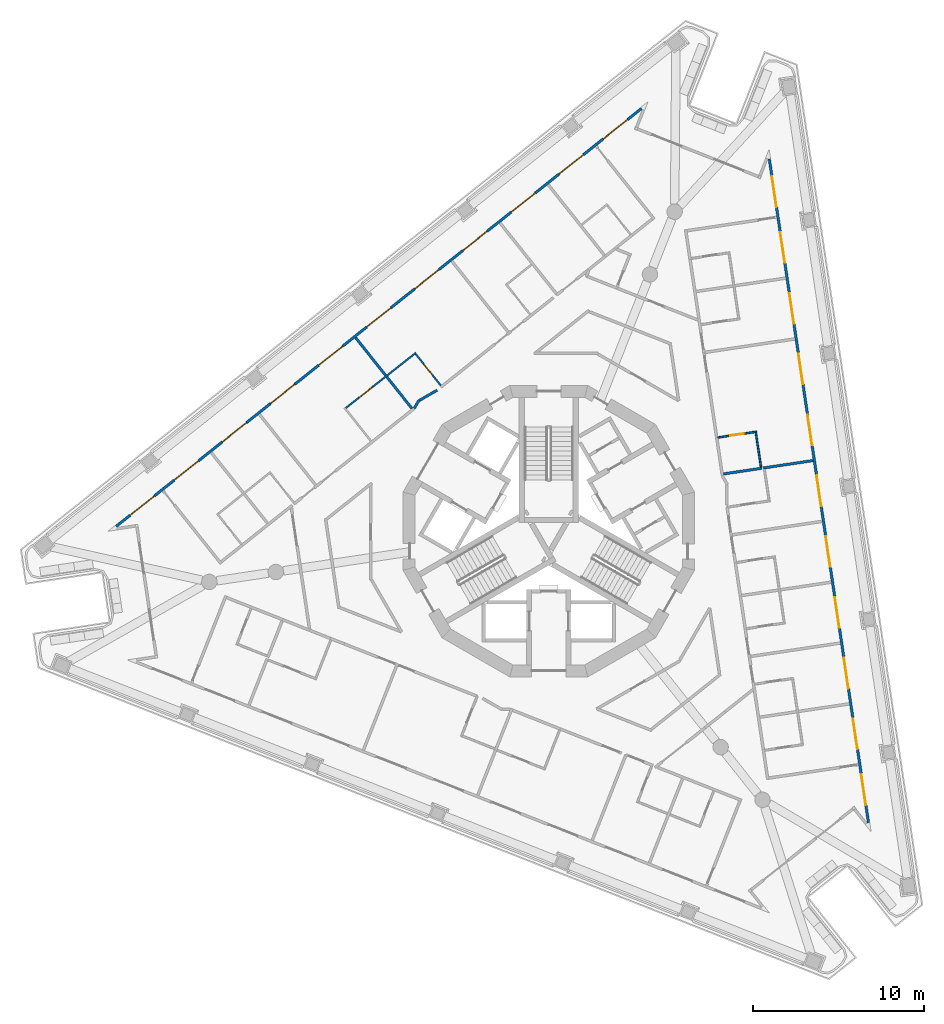
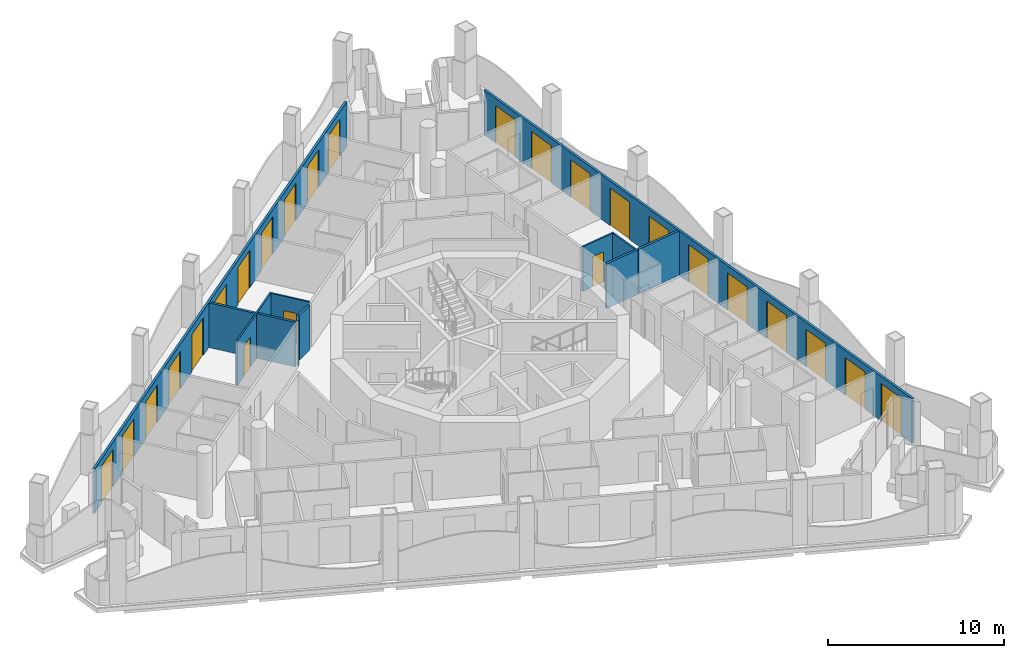
# One storey, part 7 of 16: 25 doors, 11 walls, 25 openings.
"""IFC4 building model written with IfcOpenShell, lengths in metres."""

from ifc_helpers import new_model, si_unit, direction, frame, frame_2d, origin, place, context, subcontext, project, spatial, polyline, rectangle, outline, extrude, material, layer, layer_set, type_object, element, fill, save


model = new_model("IFC4")

# Units and contexts
model_context = context("Model", 3, precision=1e-05, world=origin(), true_north=direction((0.0, 1.0)))
body_context = subcontext(model_context, "Body", "Model", "MODEL_VIEW")
ifc_project = project(units=[si_unit("LENGTHUNIT", "METRE"), si_unit("AREAUNIT", "SQUARE_METRE"), si_unit("VOLUMEUNIT", "CUBIC_METRE"), si_unit("PLANEANGLEUNIT", "RADIAN"), si_unit("MASSUNIT", "GRAM", prefix="KILO")], contexts=[model_context])

# Site, building, storey
site_placement = place(None, origin())
site = spatial("IfcSite", under=ifc_project, at=site_placement, CompositionType="ELEMENT")
building_placement = place(site_placement, origin())
building = spatial("IfcBuilding", under=site, at=building_placement, Name="Trine Commons Tower", CompositionType="ELEMENT")
storey_placement = place(building_placement, frame((0.0, 0.0, 226.800048828125)))
storey = spatial("IfcBuildingStorey", under=building, at=storey_placement, Name="L59", CompositionType="ELEMENT", Elevation=226.800048828125)

# Wall, openings, doors
ifc_material_1 = material(Name="Aluminium-framed insulated wall panel", Category="aluminium")
ifc_layer_1 = layer(ifc_material_1, 0.14990234375)
ifc_layer_set_1 = layer_set([ifc_layer_1], Name="Aluminium-framed insulated wall panel")
wall_type_1 = type_object("IfcWallType", Name="Glazed frame wall 150, EI 60", PredefinedType="SOLIDWALL", material=ifc_layer_set_1)
wall_1_placement = place(storey_placement, frame((54.650634765625, 62.685546875, 0.0), z_axis=(0.0, 0.0, 1.0), x_axis=(0.782609620341, 0.622512796776, 0.0)))
wall_1 = element("IfcWall", 1, at=wall_1_placement, inside=storey, type_object=wall_type_1, Name="Glazed frame wall F1", PredefinedType="SOLIDWALL", context=body_context, shape_type="SweptSolid", body=[
    extrude(outline(polyline([(0.1494140625, 0.074951171875), (0.1494140625, -0.074951171875), (39.296875, -0.074951171875), (39.296875, 0.074951171875), (0.1494140625, 0.074951171875)])), origin(), (0.0, 0.0, 1.0), 3.099853515625),
])
opening_1_placement = place(wall_1_placement, frame((1.193115234375, 0.0, 0.0)))
opening_1 = element("IfcOpeningElement", 2, at=opening_1_placement, cuts=wall_1, Name="Opening BD-6F1-01", PredefinedType="OPENING", context=body_context, shape_type="SweptSolid", body=[
    extrude(rectangle(XDim=1.800048828125, YDim=2.60009765625, at=frame_2d((0.89990234375, 1.300048828125))), frame((0.0, 0.0849609375, 0.0), z_axis=(0.0, -1.0, 0.0), x_axis=(1.0, 0.0, 0.0)), (0.0, 0.0, 1.0), 0.169921875),
])
opening_2_placement = place(wall_1_placement, frame((4.47900390625, 0.0, 0.0)))
opening_2 = element("IfcOpeningElement", 3, at=opening_2_placement, cuts=wall_1, Name="Opening BD-6F1-02", PredefinedType="OPENING", context=body_context, shape_type="SweptSolid", body=[
    extrude(rectangle(XDim=1.800048828125, YDim=2.60009765625, at=frame_2d((0.89990234375, 1.300048828125))), frame((0.0, 0.0849609375, 0.0), z_axis=(0.0, -1.0, 0.0), x_axis=(1.0, 0.0, 0.0)), (0.0, 0.0, 1.0), 0.169921875),
])
opening_3_placement = place(wall_1_placement, frame((8.06494140625, 0.0, 0.0)))
opening_3 = element("IfcOpeningElement", 4, at=opening_3_placement, cuts=wall_1, Name="Opening BD-6F1-03", PredefinedType="OPENING", context=body_context, shape_type="SweptSolid", body=[
    extrude(rectangle(XDim=1.800048828125, YDim=2.60009765625, at=frame_2d((0.89990234375, 1.300048828125))), frame((0.0, 0.0849609375, 0.0), z_axis=(0.0, -1.0, 0.0), x_axis=(1.0, 0.0, 0.0)), (0.0, 0.0, 1.0), 0.169921875),
])
opening_4_placement = place(wall_1_placement, frame((11.65087890625, 0.0, 0.0)))
opening_4 = element("IfcOpeningElement", 5, at=opening_4_placement, cuts=wall_1, Name="Opening BD-6F1-04", PredefinedType="OPENING", context=body_context, shape_type="SweptSolid", body=[
    extrude(rectangle(XDim=1.800048828125, YDim=2.60009765625, at=frame_2d((0.89990234375, 1.300048828125))), frame((0.0, 0.0849609375, 0.0), z_axis=(0.0, -1.0, 0.0), x_axis=(1.0, 0.0, 0.0)), (0.0, 0.0, 1.0), 0.169921875),
])
opening_5_placement = place(wall_1_placement, frame((15.237060546875, 0.0, 0.0)))
opening_5 = element("IfcOpeningElement", 6, at=opening_5_placement, cuts=wall_1, Name="Opening BD-6F1-05", PredefinedType="OPENING", context=body_context, shape_type="SweptSolid", body=[
    extrude(rectangle(XDim=1.800048828125, YDim=2.60009765625, at=frame_2d((0.89990234375, 1.300048828125))), frame((0.0, 0.0849609375, 0.0), z_axis=(0.0, -1.0, 0.0), x_axis=(1.0, 0.0, 0.0)), (0.0, 0.0, 1.0), 0.169921875),
])
opening_6_placement = place(wall_1_placement, frame((18.822998046875, 0.0, 0.0)))
opening_6 = element("IfcOpeningElement", 7, at=opening_6_placement, cuts=wall_1, Name="Opening BD-6F1-06", PredefinedType="OPENING", context=body_context, shape_type="SweptSolid", body=[
    extrude(rectangle(XDim=1.800048828125, YDim=2.60009765625, at=frame_2d((0.89990234375, 1.300048828125))), frame((0.0, 0.0849609375, 0.0), z_axis=(0.0, -1.0, 0.0), x_axis=(1.0, 0.0, 0.0)), (0.0, 0.0, 1.0), 0.169921875),
])
opening_7_placement = place(wall_1_placement, frame((22.408935546875, 0.0, 0.0)))
opening_7 = element("IfcOpeningElement", 8, at=opening_7_placement, cuts=wall_1, Name="Opening BD-6F1-07", PredefinedType="OPENING", context=body_context, shape_type="SweptSolid", body=[
    extrude(rectangle(XDim=1.800048828125, YDim=2.60009765625, at=frame_2d((0.89990234375, 1.300048828125))), frame((0.0, 0.0849609375, 0.0), z_axis=(0.0, -1.0, 0.0), x_axis=(1.0, 0.0, 0.0)), (0.0, 0.0, 1.0), 0.169921875),
])
opening_8_placement = place(wall_1_placement, frame((25.9951171875, 0.0, 0.0)))
opening_8 = element("IfcOpeningElement", 9, at=opening_8_placement, cuts=wall_1, Name="Opening BD-6F1-08", PredefinedType="OPENING", context=body_context, shape_type="SweptSolid", body=[
    extrude(rectangle(XDim=1.800048828125, YDim=2.60009765625, at=frame_2d((0.89990234375, 1.300048828125))), frame((0.0, 0.0849609375, 0.0), z_axis=(0.0, -1.0, 0.0), x_axis=(1.0, 0.0, 0.0)), (0.0, 0.0, 1.0), 0.169921875),
])
opening_9_placement = place(wall_1_placement, frame((29.5810546875, 0.0, 0.0)))
opening_9 = element("IfcOpeningElement", 10, at=opening_9_placement, cuts=wall_1, Name="Opening BD-6F1-09", PredefinedType="OPENING", context=body_context, shape_type="SweptSolid", body=[
    extrude(rectangle(XDim=1.800048828125, YDim=2.60009765625, at=frame_2d((0.89990234375, 1.300048828125))), frame((0.0, 0.0849609375, 0.0), z_axis=(0.0, -1.0, 0.0), x_axis=(1.0, 0.0, 0.0)), (0.0, 0.0, 1.0), 0.169921875),
])
opening_10_placement = place(wall_1_placement, frame((33.1669921875, 0.0, 0.0)))
opening_10 = element("IfcOpeningElement", 11, at=opening_10_placement, cuts=wall_1, Name="Opening BD-6F1-10", PredefinedType="OPENING", context=body_context, shape_type="SweptSolid", body=[
    extrude(rectangle(XDim=1.800048828125, YDim=2.60009765625, at=frame_2d((0.89990234375, 1.300048828125))), frame((0.0, 0.0849609375, 0.0), z_axis=(0.0, -1.0, 0.0), x_axis=(1.0, 0.0, 0.0)), (0.0, 0.0, 1.0), 0.169921875),
])
opening_11_placement = place(wall_1_placement, frame((36.452880859375, 0.0, 0.0)))
opening_11 = element("IfcOpeningElement", 12, at=opening_11_placement, cuts=wall_1, Name="Opening BD-6F1-11", PredefinedType="OPENING", context=body_context, shape_type="SweptSolid", body=[
    extrude(rectangle(XDim=1.800048828125, YDim=2.60009765625, at=frame_2d((0.89990234375, 1.300048828125))), frame((0.0, 0.0849609375, 0.0), z_axis=(0.0, -1.0, 0.0), x_axis=(1.0, 0.0, 0.0)), (0.0, 0.0, 1.0), 0.169921875),
])
ifc_material_2 = material(Name="Anodised aluminium frame with double glazing", Category="aluminium")
door_type_1 = type_object("IfcDoorType", Name="Sliding loggia door 1800x2600", OperationType="SLIDING_TO_LEFT", PredefinedType="DOOR", material=ifc_material_2)
door_1_placement = place(opening_1_placement, origin())
door_1 = element("IfcDoor", 13, at=door_1_placement, inside=storey, type_object=door_type_1, Name="Loggia door F1 1", OperationType="SLIDING_TO_LEFT", OverallHeight=2.60009765625, OverallWidth=1.800048828125, PredefinedType="DOOR", context=body_context, shape_type="SweptSolid", body=[
    extrude(rectangle(XDim=1.800048828125, YDim=2.60009765625, at=frame_2d((0.89990234375, 1.300048828125))), frame((0.0, 0.02490234375, 0.0), z_axis=(0.0, -1.0, 0.0), x_axis=(1.0, 0.0, 0.0)), (0.0, 0.0, 1.0), 0.050048828125),
])
fill(opening_1, door_1)
door_2_placement = place(opening_2_placement, origin())
door_2 = element("IfcDoor", 14, at=door_2_placement, inside=storey, type_object=door_type_1, Name="Loggia door F1 2", OperationType="SLIDING_TO_LEFT", OverallHeight=2.60009765625, OverallWidth=1.800048828125, PredefinedType="DOOR", context=body_context, shape_type="SweptSolid", body=[
    extrude(rectangle(XDim=1.800048828125, YDim=2.60009765625, at=frame_2d((0.89990234375, 1.300048828125))), frame((0.0, 0.02490234375, 0.0), z_axis=(0.0, -1.0, 0.0), x_axis=(1.0, 0.0, 0.0)), (0.0, 0.0, 1.0), 0.050048828125),
])
fill(opening_2, door_2)
door_3_placement = place(opening_3_placement, origin())
door_3 = element("IfcDoor", 15, at=door_3_placement, inside=storey, type_object=door_type_1, Name="Loggia door F1 3", OperationType="SLIDING_TO_LEFT", OverallHeight=2.60009765625, OverallWidth=1.800048828125, PredefinedType="DOOR", context=body_context, shape_type="SweptSolid", body=[
    extrude(rectangle(XDim=1.800048828125, YDim=2.60009765625, at=frame_2d((0.89990234375, 1.300048828125))), frame((0.0, 0.02490234375, 0.0), z_axis=(0.0, -1.0, 0.0), x_axis=(1.0, 0.0, 0.0)), (0.0, 0.0, 1.0), 0.050048828125),
])
fill(opening_3, door_3)
door_4_placement = place(opening_4_placement, origin())
door_4 = element("IfcDoor", 16, at=door_4_placement, inside=storey, type_object=door_type_1, Name="Loggia door F1 4", OperationType="SLIDING_TO_LEFT", OverallHeight=2.60009765625, OverallWidth=1.800048828125, PredefinedType="DOOR", context=body_context, shape_type="SweptSolid", body=[
    extrude(rectangle(XDim=1.800048828125, YDim=2.60009765625, at=frame_2d((0.89990234375, 1.300048828125))), frame((0.0, 0.02490234375, 0.0), z_axis=(0.0, -1.0, 0.0), x_axis=(1.0, 0.0, 0.0)), (0.0, 0.0, 1.0), 0.050048828125),
])
fill(opening_4, door_4)
door_5_placement = place(opening_5_placement, origin())
door_5 = element("IfcDoor", 17, at=door_5_placement, inside=storey, type_object=door_type_1, Name="Loggia door F1 5", OperationType="SLIDING_TO_LEFT", OverallHeight=2.60009765625, OverallWidth=1.800048828125, PredefinedType="DOOR", context=body_context, shape_type="SweptSolid", body=[
    extrude(rectangle(XDim=1.800048828125, YDim=2.60009765625, at=frame_2d((0.89990234375, 1.300048828125))), frame((0.0, 0.02490234375, 0.0), z_axis=(0.0, -1.0, 0.0), x_axis=(1.0, 0.0, 0.0)), (0.0, 0.0, 1.0), 0.050048828125),
])
fill(opening_5, door_5)
door_6_placement = place(opening_6_placement, origin())
door_6 = element("IfcDoor", 18, at=door_6_placement, inside=storey, type_object=door_type_1, Name="Loggia door F1 6", OperationType="SLIDING_TO_LEFT", OverallHeight=2.60009765625, OverallWidth=1.800048828125, PredefinedType="DOOR", context=body_context, shape_type="SweptSolid", body=[
    extrude(rectangle(XDim=1.800048828125, YDim=2.60009765625, at=frame_2d((0.89990234375, 1.300048828125))), frame((0.0, 0.02490234375, 0.0), z_axis=(0.0, -1.0, 0.0), x_axis=(1.0, 0.0, 0.0)), (0.0, 0.0, 1.0), 0.050048828125),
])
fill(opening_6, door_6)
door_7_placement = place(opening_7_placement, origin())
door_7 = element("IfcDoor", 19, at=door_7_placement, inside=storey, type_object=door_type_1, Name="Loggia door F1 7", OperationType="SLIDING_TO_LEFT", OverallHeight=2.60009765625, OverallWidth=1.800048828125, PredefinedType="DOOR", context=body_context, shape_type="SweptSolid", body=[
    extrude(rectangle(XDim=1.800048828125, YDim=2.60009765625, at=frame_2d((0.89990234375, 1.300048828125))), frame((0.0, 0.02490234375, 0.0), z_axis=(0.0, -1.0, 0.0), x_axis=(1.0, 0.0, 0.0)), (0.0, 0.0, 1.0), 0.050048828125),
])
fill(opening_7, door_7)
door_8_placement = place(opening_8_placement, origin())
door_8 = element("IfcDoor", 20, at=door_8_placement, inside=storey, type_object=door_type_1, Name="Loggia door F1 8", OperationType="SLIDING_TO_LEFT", OverallHeight=2.60009765625, OverallWidth=1.800048828125, PredefinedType="DOOR", context=body_context, shape_type="SweptSolid", body=[
    extrude(rectangle(XDim=1.800048828125, YDim=2.60009765625, at=frame_2d((0.89990234375, 1.300048828125))), frame((0.0, 0.02490234375, 0.0), z_axis=(0.0, -1.0, 0.0), x_axis=(1.0, 0.0, 0.0)), (0.0, 0.0, 1.0), 0.050048828125),
])
fill(opening_8, door_8)
door_9_placement = place(opening_9_placement, origin())
door_9 = element("IfcDoor", 21, at=door_9_placement, inside=storey, type_object=door_type_1, Name="Loggia door F1 9", OperationType="SLIDING_TO_LEFT", OverallHeight=2.60009765625, OverallWidth=1.800048828125, PredefinedType="DOOR", context=body_context, shape_type="SweptSolid", body=[
    extrude(rectangle(XDim=1.800048828125, YDim=2.60009765625, at=frame_2d((0.89990234375, 1.300048828125))), frame((0.0, 0.02490234375, 0.0), z_axis=(0.0, -1.0, 0.0), x_axis=(1.0, 0.0, 0.0)), (0.0, 0.0, 1.0), 0.050048828125),
])
fill(opening_9, door_9)
door_10_placement = place(opening_10_placement, origin())
door_10 = element("IfcDoor", 22, at=door_10_placement, inside=storey, type_object=door_type_1, Name="Loggia door F1 10", OperationType="SLIDING_TO_LEFT", OverallHeight=2.60009765625, OverallWidth=1.800048828125, PredefinedType="DOOR", context=body_context, shape_type="SweptSolid", body=[
    extrude(rectangle(XDim=1.800048828125, YDim=2.60009765625, at=frame_2d((0.89990234375, 1.300048828125))), frame((0.0, 0.02490234375, 0.0), z_axis=(0.0, -1.0, 0.0), x_axis=(1.0, 0.0, 0.0)), (0.0, 0.0, 1.0), 0.050048828125),
])
fill(opening_10, door_10)
door_11_placement = place(opening_11_placement, origin())
door_11 = element("IfcDoor", 23, at=door_11_placement, inside=storey, type_object=door_type_1, Name="Loggia door F1 11", OperationType="SLIDING_TO_LEFT", OverallHeight=2.60009765625, OverallWidth=1.800048828125, PredefinedType="DOOR", context=body_context, shape_type="SweptSolid", body=[
    extrude(rectangle(XDim=1.800048828125, YDim=2.60009765625, at=frame_2d((0.89990234375, 1.300048828125))), frame((0.0, 0.02490234375, 0.0), z_axis=(0.0, -1.0, 0.0), x_axis=(1.0, 0.0, 0.0)), (0.0, 0.0, 1.0), 0.050048828125),
])
fill(opening_11, door_11)

wall_2_placement = place(storey_placement, frame((92.835205078125, 84.3603515625, 0.0), z_axis=(0.0, 0.0, 1.0), x_axis=(0.147810490781, -0.989015702006, 0.0)))
wall_2 = element("IfcWall", 24, at=wall_2_placement, inside=storey, type_object=wall_type_1, Name="Glazed frame wall F2", PredefinedType="SOLIDWALL", context=body_context, shape_type="SweptSolid", body=[
    extrude(outline(polyline([(0.1494140625, 0.074951171875), (0.1494140625, -0.074951171875), (39.296875, -0.074951171875), (39.296875, 0.074951171875), (0.1494140625, 0.074951171875)])), origin(), (0.0, 0.0, 1.0), 3.099853515625),
])
opening_12_placement = place(wall_2_placement, frame((1.193115234375, 0.0, 0.0)))
opening_12 = element("IfcOpeningElement", 25, at=opening_12_placement, cuts=wall_2, Name="Opening BD-6F2-01", PredefinedType="OPENING", context=body_context, shape_type="SweptSolid", body=[
    extrude(rectangle(XDim=1.800048828125, YDim=2.60009765625, at=frame_2d((0.89990234375, 1.300048828125))), frame((0.0, 0.0849609375, 0.0), z_axis=(0.0, -1.0, 0.0), x_axis=(1.0, 0.0, 0.0)), (0.0, 0.0, 1.0), 0.169921875),
])
opening_13_placement = place(wall_2_placement, frame((4.47900390625, 0.0, 0.0)))
opening_13 = element("IfcOpeningElement", 26, at=opening_13_placement, cuts=wall_2, Name="Opening BD-6F2-02", PredefinedType="OPENING", context=body_context, shape_type="SweptSolid", body=[
    extrude(rectangle(XDim=1.800048828125, YDim=2.60009765625, at=frame_2d((0.89990234375, 1.300048828125))), frame((0.0, 0.0849609375, 0.0), z_axis=(0.0, -1.0, 0.0), x_axis=(1.0, 0.0, 0.0)), (0.0, 0.0, 1.0), 0.169921875),
])
opening_14_placement = place(wall_2_placement, frame((8.06494140625, 0.0, 0.0)))
opening_14 = element("IfcOpeningElement", 27, at=opening_14_placement, cuts=wall_2, Name="Opening BD-6F2-03", PredefinedType="OPENING", context=body_context, shape_type="SweptSolid", body=[
    extrude(rectangle(XDim=1.800048828125, YDim=2.60009765625, at=frame_2d((0.89990234375, 1.300048828125))), frame((0.0, 0.0849609375, 0.0), z_axis=(0.0, -1.0, 0.0), x_axis=(1.0, 0.0, 0.0)), (0.0, 0.0, 1.0), 0.169921875),
])
opening_15_placement = place(wall_2_placement, frame((11.65087890625, 0.0, 0.0)))
opening_15 = element("IfcOpeningElement", 28, at=opening_15_placement, cuts=wall_2, Name="Opening BD-6F2-04", PredefinedType="OPENING", context=body_context, shape_type="SweptSolid", body=[
    extrude(rectangle(XDim=1.800048828125, YDim=2.60009765625, at=frame_2d((0.89990234375, 1.300048828125))), frame((0.0, 0.0849609375, 0.0), z_axis=(0.0, -1.0, 0.0), x_axis=(1.0, 0.0, 0.0)), (0.0, 0.0, 1.0), 0.169921875),
])
opening_16_placement = place(wall_2_placement, frame((15.237060546875, 0.0, 0.0)))
opening_16 = element("IfcOpeningElement", 29, at=opening_16_placement, cuts=wall_2, Name="Opening BD-6F2-05", PredefinedType="OPENING", context=body_context, shape_type="SweptSolid", body=[
    extrude(rectangle(XDim=1.800048828125, YDim=2.60009765625, at=frame_2d((0.89990234375, 1.300048828125))), frame((0.0, 0.0849609375, 0.0), z_axis=(0.0, -1.0, 0.0), x_axis=(1.0, 0.0, 0.0)), (0.0, 0.0, 1.0), 0.169921875),
])
opening_17_placement = place(wall_2_placement, frame((18.822998046875, 0.0, 0.0)))
opening_17 = element("IfcOpeningElement", 30, at=opening_17_placement, cuts=wall_2, Name="Opening BD-6F2-06", PredefinedType="OPENING", context=body_context, shape_type="SweptSolid", body=[
    extrude(rectangle(XDim=1.800048828125, YDim=2.60009765625, at=frame_2d((0.89990234375, 1.300048828125))), frame((0.0, 0.0849609375, 0.0), z_axis=(0.0, -1.0, 0.0), x_axis=(1.0, 0.0, 0.0)), (0.0, 0.0, 1.0), 0.169921875),
])
opening_18_placement = place(wall_2_placement, frame((22.408935546875, 0.0, 0.0)))
opening_18 = element("IfcOpeningElement", 31, at=opening_18_placement, cuts=wall_2, Name="Opening BD-6F2-07", PredefinedType="OPENING", context=body_context, shape_type="SweptSolid", body=[
    extrude(rectangle(XDim=1.800048828125, YDim=2.60009765625, at=frame_2d((0.89990234375, 1.300048828125))), frame((0.0, 0.0849609375, 0.0), z_axis=(0.0, -1.0, 0.0), x_axis=(1.0, 0.0, 0.0)), (0.0, 0.0, 1.0), 0.169921875),
])
opening_19_placement = place(wall_2_placement, frame((25.9951171875, 0.0, 0.0)))
opening_19 = element("IfcOpeningElement", 32, at=opening_19_placement, cuts=wall_2, Name="Opening BD-6F2-08", PredefinedType="OPENING", context=body_context, shape_type="SweptSolid", body=[
    extrude(rectangle(XDim=1.800048828125, YDim=2.60009765625, at=frame_2d((0.89990234375, 1.300048828125))), frame((0.0, 0.0849609375, 0.0), z_axis=(0.0, -1.0, 0.0), x_axis=(1.0, 0.0, 0.0)), (0.0, 0.0, 1.0), 0.169921875),
])
opening_20_placement = place(wall_2_placement, frame((29.5810546875, 0.0, 0.0)))
opening_20 = element("IfcOpeningElement", 33, at=opening_20_placement, cuts=wall_2, Name="Opening BD-6F2-09", PredefinedType="OPENING", context=body_context, shape_type="SweptSolid", body=[
    extrude(rectangle(XDim=1.800048828125, YDim=2.60009765625, at=frame_2d((0.89990234375, 1.300048828125))), frame((0.0, 0.0849609375, 0.0), z_axis=(0.0, -1.0, 0.0), x_axis=(1.0, 0.0, 0.0)), (0.0, 0.0, 1.0), 0.169921875),
])
opening_21_placement = place(wall_2_placement, frame((33.1669921875, 0.0, 0.0)))
opening_21 = element("IfcOpeningElement", 34, at=opening_21_placement, cuts=wall_2, Name="Opening BD-6F2-10", PredefinedType="OPENING", context=body_context, shape_type="SweptSolid", body=[
    extrude(rectangle(XDim=1.800048828125, YDim=2.60009765625, at=frame_2d((0.89990234375, 1.300048828125))), frame((0.0, 0.0849609375, 0.0), z_axis=(0.0, -1.0, 0.0), x_axis=(1.0, 0.0, 0.0)), (0.0, 0.0, 1.0), 0.169921875),
])
opening_22_placement = place(wall_2_placement, frame((36.452880859375, 0.0, 0.0)))
opening_22 = element("IfcOpeningElement", 35, at=opening_22_placement, cuts=wall_2, Name="Opening BD-6F2-11", PredefinedType="OPENING", context=body_context, shape_type="SweptSolid", body=[
    extrude(rectangle(XDim=1.800048828125, YDim=2.60009765625, at=frame_2d((0.89990234375, 1.300048828125))), frame((0.0, 0.0849609375, 0.0), z_axis=(0.0, -1.0, 0.0), x_axis=(1.0, 0.0, 0.0)), (0.0, 0.0, 1.0), 0.169921875),
])
door_12_placement = place(opening_12_placement, origin())
door_12 = element("IfcDoor", 36, at=door_12_placement, inside=storey, type_object=door_type_1, Name="Loggia door F2 1", OperationType="SLIDING_TO_LEFT", OverallHeight=2.60009765625, OverallWidth=1.800048828125, PredefinedType="DOOR", context=body_context, shape_type="SweptSolid", body=[
    extrude(rectangle(XDim=1.800048828125, YDim=2.60009765625, at=frame_2d((0.89990234375, 1.300048828125))), frame((0.0, 0.02490234375, 0.0), z_axis=(0.0, -1.0, 0.0), x_axis=(1.0, 0.0, 0.0)), (0.0, 0.0, 1.0), 0.050048828125),
])
fill(opening_12, door_12)
door_13_placement = place(opening_13_placement, origin())
door_13 = element("IfcDoor", 37, at=door_13_placement, inside=storey, type_object=door_type_1, Name="Loggia door F2 2", OperationType="SLIDING_TO_LEFT", OverallHeight=2.60009765625, OverallWidth=1.800048828125, PredefinedType="DOOR", context=body_context, shape_type="SweptSolid", body=[
    extrude(rectangle(XDim=1.800048828125, YDim=2.60009765625, at=frame_2d((0.89990234375, 1.300048828125))), frame((0.0, 0.02490234375, 0.0), z_axis=(0.0, -1.0, 0.0), x_axis=(1.0, 0.0, 0.0)), (0.0, 0.0, 1.0), 0.050048828125),
])
fill(opening_13, door_13)
door_14_placement = place(opening_14_placement, origin())
door_14 = element("IfcDoor", 38, at=door_14_placement, inside=storey, type_object=door_type_1, Name="Loggia door F2 3", OperationType="SLIDING_TO_LEFT", OverallHeight=2.60009765625, OverallWidth=1.800048828125, PredefinedType="DOOR", context=body_context, shape_type="SweptSolid", body=[
    extrude(rectangle(XDim=1.800048828125, YDim=2.60009765625, at=frame_2d((0.89990234375, 1.300048828125))), frame((0.0, 0.02490234375, 0.0), z_axis=(0.0, -1.0, 0.0), x_axis=(1.0, 0.0, 0.0)), (0.0, 0.0, 1.0), 0.050048828125),
])
fill(opening_14, door_14)
door_15_placement = place(opening_15_placement, origin())
door_15 = element("IfcDoor", 39, at=door_15_placement, inside=storey, type_object=door_type_1, Name="Loggia door F2 4", OperationType="SLIDING_TO_LEFT", OverallHeight=2.60009765625, OverallWidth=1.800048828125, PredefinedType="DOOR", context=body_context, shape_type="SweptSolid", body=[
    extrude(rectangle(XDim=1.800048828125, YDim=2.60009765625, at=frame_2d((0.89990234375, 1.300048828125))), frame((0.0, 0.02490234375, 0.0), z_axis=(0.0, -1.0, 0.0), x_axis=(1.0, 0.0, 0.0)), (0.0, 0.0, 1.0), 0.050048828125),
])
fill(opening_15, door_15)
door_16_placement = place(opening_16_placement, origin())
door_16 = element("IfcDoor", 40, at=door_16_placement, inside=storey, type_object=door_type_1, Name="Loggia door F2 5", OperationType="SLIDING_TO_LEFT", OverallHeight=2.60009765625, OverallWidth=1.800048828125, PredefinedType="DOOR", context=body_context, shape_type="SweptSolid", body=[
    extrude(rectangle(XDim=1.800048828125, YDim=2.60009765625, at=frame_2d((0.89990234375, 1.300048828125))), frame((0.0, 0.02490234375, 0.0), z_axis=(0.0, -1.0, 0.0), x_axis=(1.0, 0.0, 0.0)), (0.0, 0.0, 1.0), 0.050048828125),
])
fill(opening_16, door_16)
door_17_placement = place(opening_17_placement, origin())
door_17 = element("IfcDoor", 41, at=door_17_placement, inside=storey, type_object=door_type_1, Name="Loggia door F2 6", OperationType="SLIDING_TO_LEFT", OverallHeight=2.60009765625, OverallWidth=1.800048828125, PredefinedType="DOOR", context=body_context, shape_type="SweptSolid", body=[
    extrude(rectangle(XDim=1.800048828125, YDim=2.60009765625, at=frame_2d((0.89990234375, 1.300048828125))), frame((0.0, 0.02490234375, 0.0), z_axis=(0.0, -1.0, 0.0), x_axis=(1.0, 0.0, 0.0)), (0.0, 0.0, 1.0), 0.050048828125),
])
fill(opening_17, door_17)
door_18_placement = place(opening_18_placement, origin())
door_18 = element("IfcDoor", 42, at=door_18_placement, inside=storey, type_object=door_type_1, Name="Loggia door F2 7", OperationType="SLIDING_TO_LEFT", OverallHeight=2.60009765625, OverallWidth=1.800048828125, PredefinedType="DOOR", context=body_context, shape_type="SweptSolid", body=[
    extrude(rectangle(XDim=1.800048828125, YDim=2.60009765625, at=frame_2d((0.89990234375, 1.300048828125))), frame((0.0, 0.02490234375, 0.0), z_axis=(0.0, -1.0, 0.0), x_axis=(1.0, 0.0, 0.0)), (0.0, 0.0, 1.0), 0.050048828125),
])
fill(opening_18, door_18)
door_19_placement = place(opening_19_placement, origin())
door_19 = element("IfcDoor", 43, at=door_19_placement, inside=storey, type_object=door_type_1, Name="Loggia door F2 8", OperationType="SLIDING_TO_LEFT", OverallHeight=2.60009765625, OverallWidth=1.800048828125, PredefinedType="DOOR", context=body_context, shape_type="SweptSolid", body=[
    extrude(rectangle(XDim=1.800048828125, YDim=2.60009765625, at=frame_2d((0.89990234375, 1.300048828125))), frame((0.0, 0.02490234375, 0.0), z_axis=(0.0, -1.0, 0.0), x_axis=(1.0, 0.0, 0.0)), (0.0, 0.0, 1.0), 0.050048828125),
])
fill(opening_19, door_19)
door_20_placement = place(opening_20_placement, origin())
door_20 = element("IfcDoor", 44, at=door_20_placement, inside=storey, type_object=door_type_1, Name="Loggia door F2 9", OperationType="SLIDING_TO_LEFT", OverallHeight=2.60009765625, OverallWidth=1.800048828125, PredefinedType="DOOR", context=body_context, shape_type="SweptSolid", body=[
    extrude(rectangle(XDim=1.800048828125, YDim=2.60009765625, at=frame_2d((0.89990234375, 1.300048828125))), frame((0.0, 0.02490234375, 0.0), z_axis=(0.0, -1.0, 0.0), x_axis=(1.0, 0.0, 0.0)), (0.0, 0.0, 1.0), 0.050048828125),
])
fill(opening_20, door_20)
door_21_placement = place(opening_21_placement, origin())
door_21 = element("IfcDoor", 45, at=door_21_placement, inside=storey, type_object=door_type_1, Name="Loggia door F2 10", OperationType="SLIDING_TO_LEFT", OverallHeight=2.60009765625, OverallWidth=1.800048828125, PredefinedType="DOOR", context=body_context, shape_type="SweptSolid", body=[
    extrude(rectangle(XDim=1.800048828125, YDim=2.60009765625, at=frame_2d((0.89990234375, 1.300048828125))), frame((0.0, 0.02490234375, 0.0), z_axis=(0.0, -1.0, 0.0), x_axis=(1.0, 0.0, 0.0)), (0.0, 0.0, 1.0), 0.050048828125),
])
fill(opening_21, door_21)
door_22_placement = place(opening_22_placement, origin())
door_22 = element("IfcDoor", 46, at=door_22_placement, inside=storey, type_object=door_type_1, Name="Loggia door F2 11", OperationType="SLIDING_TO_LEFT", OverallHeight=2.60009765625, OverallWidth=1.800048828125, PredefinedType="DOOR", context=body_context, shape_type="SweptSolid", body=[
    extrude(rectangle(XDim=1.800048828125, YDim=2.60009765625, at=frame_2d((0.89990234375, 1.300048828125))), frame((0.0, 0.02490234375, 0.0), z_axis=(0.0, -1.0, 0.0), x_axis=(1.0, 0.0, 0.0)), (0.0, 0.0, 1.0), 0.050048828125),
])
fill(opening_22, door_22)

# Walls
ifc_material_3 = material(Name="Gypsum plasterboard on steel stud", Category="steel")
ifc_layer_2 = layer(ifc_material_3, 0.14990234375)
ifc_layer_set_2 = layer_set([ifc_layer_2], Name="Gypsum plasterboard on steel stud")
wall_type_2 = type_object("IfcWallType", Name="Unit and corridor wall 150 mm, EI 60", PredefinedType="PARTITIONING", material=ifc_layer_set_2)
wall_3_placement = place(storey_placement, frame((68.72998046875, 73.788818359375, 0.0), z_axis=(0.0, 0.0, 1.0), x_axis=(0.622421957732, -0.782681868024, 0.0)))
element("IfcWall", 47, at=wall_3_placement, inside=storey, type_object=wall_type_2, Name="Partition 029", PredefinedType="PARTITIONING", context=body_context, shape_type="SweptSolid", body=[
    extrude(rectangle(XDim=5.28466796875, YDim=0.14990234375, at=frame_2d((2.642333984375, 0.0))), origin(), (0.0, 0.0, 1.0), 3.099853515625),
])
wall_4_placement = place(storey_placement, frame((72.152099609375, 69.656005859375, 0.0), z_axis=(0.0, 0.0, 1.0), x_axis=(0.499165076137, 0.866506910973, 0.0)))
element("IfcWall", 48, at=wall_4_placement, inside=storey, type_object=wall_type_2, Name="Partition 033", PredefinedType="PARTITIONING", context=body_context, shape_type="SweptSolid", body=[
    extrude(rectangle(XDim=0.58154296875, YDim=0.14990234375, at=frame_2d((0.290771484375, 0.0))), origin(), (0.0, 0.0, 1.0), 3.099853515625),
])
wall_5_placement = place(storey_placement, frame((72.469970703125, 70.132568359375, 0.0), z_axis=(0.0, 0.0, 1.0), x_axis=(0.865861083349, 0.5002845034, 0.0)))
element("IfcWall", 49, at=wall_5_placement, inside=storey, type_object=wall_type_2, Name="Partition 035", PredefinedType="PARTITIONING", context=body_context, shape_type="SweptSolid", body=[
    extrude(rectangle(XDim=1.177978515625, YDim=0.14990234375, at=frame_2d((0.5888671875, 0.0))), origin(), (0.0, 0.0, 1.0), 3.099853515625),
])
wall_6_placement = place(storey_placement, frame((90.18408203125, 65.835205078125, 0.0), z_axis=(0.0, 0.0, 1.0), x_axis=(0.989025888794, 0.147742313828, 0.0)))
element("IfcWall", 50, at=wall_6_placement, inside=storey, type_object=wall_type_2, Name="Partition 097", PredefinedType="PARTITIONING", context=body_context, shape_type="SweptSolid", body=[
    extrude(rectangle(XDim=2.275390625, YDim=0.14990234375, at=frame_2d((1.1376953125, 0.0))), origin(), (0.0, 0.0, 1.0), 3.099853515625),
])
wall_7_placement = place(storey_placement, frame((92.508544921875, 66.1826171875, 0.0), z_axis=(0.0, 0.0, 1.0), x_axis=(0.98902768461, 0.147730291663, 0.0)))
element("IfcWall", 51, at=wall_7_placement, inside=storey, type_object=wall_type_2, Name="Partition 119", PredefinedType="PARTITIONING", context=body_context, shape_type="SweptSolid", body=[
    extrude(rectangle(XDim=2.93505859375, YDim=0.14990234375, at=frame_2d((1.467529296875, 0.0))), origin(), (0.0, 0.0, 1.0), 3.099853515625),
])

# Wall, opening, door
ifc_layer_3 = layer(ifc_material_3, 0.10009765625)
ifc_layer_set_3 = layer_set([ifc_layer_3], Name="Gypsum plasterboard on steel stud")
wall_type_3 = type_object("IfcWallType", Name="Unit partition 100 mm, no rating", PredefinedType="PARTITIONING", material=ifc_layer_set_3)
wall_8_placement = place(storey_placement, frame((68.162353515625, 69.681884765625, 0.0), z_axis=(0.0, 0.0, 1.0), x_axis=(0.785695640429, 0.618613256091, 0.0)))
wall_8 = element("IfcWall", 52, at=wall_8_placement, inside=storey, type_object=wall_type_3, Name="Partition 028", PredefinedType="PARTITIONING", context=body_context, shape_type="SweptSolid", body=[
    extrude(rectangle(XDim=5.200439453125, YDim=0.10009765625, at=frame_2d((2.60009765625, 0.0))), origin(), (0.0, 0.0, 1.0), 3.099853515625),
])
opening_23_placement = place(wall_8_placement, frame((1.0, 0.0, 0.0)))
opening_23 = element("IfcOpeningElement", 53, at=opening_23_placement, cuts=wall_8, Name="Opening D-6C31", PredefinedType="OPENING", context=body_context, shape_type="SweptSolid", body=[
    extrude(rectangle(XDim=1.0, YDim=2.10009765625, at=frame_2d((0.5, 1.050048828125))), frame((0.0, 0.06005859375, 0.0), z_axis=(0.0, -1.0, 0.0), x_axis=(1.0, 0.0, 0.0)), (0.0, 0.0, 1.0), 0.1201171875),
])
ifc_material_4 = material(Name="Painted timber", Category="wood")
door_type_2 = type_object("IfcDoorType", Name="Internal door 1000 x 2100, NOT RATED", OperationType="NOTDEFINED", PredefinedType="DOOR", material=ifc_material_4)
door_23_placement = place(opening_23_placement, origin())
door_23 = element("IfcDoor", 54, at=door_23_placement, inside=storey, type_object=door_type_2, Name="Door D-6C31", OperationType="SINGLE_SWING_LEFT", OverallHeight=2.10009765625, OverallWidth=1.0, PredefinedType="DOOR", context=body_context, shape_type="SweptSolid", body=[
    extrude(rectangle(XDim=1.0, YDim=2.10009765625, at=frame_2d((0.5, 1.050048828125))), frame((0.0, 0.02490234375, 0.0), z_axis=(0.0, -1.0, 0.0), x_axis=(1.0, 0.0, 0.0)), (0.0, 0.0, 1.0), 0.050048828125),
])
fill(opening_23, door_23)

wall_9_placement = place(storey_placement, frame((72.239990234375, 72.828857421875, 0.0), z_axis=(0.0, 0.0, 1.0), x_axis=(0.622588668778, -0.782549263311, 0.0)))
wall_9 = element("IfcWall", 55, at=wall_9_placement, inside=storey, type_object=wall_type_3, Name="Partition 034", PredefinedType="PARTITIONING", context=body_context, shape_type="SweptSolid", body=[
    extrude(rectangle(XDim=2.348876953125, YDim=0.10009765625, at=frame_2d((1.17431640625, 0.0))), origin(), (0.0, 0.0, 1.0), 3.099853515625),
])
opening_24_placement = place(wall_9_placement, frame((0.7744140625, 0.0, 0.0)))
opening_24 = element("IfcOpeningElement", 56, at=opening_24_placement, cuts=wall_9, Name="Opening D-6C32", PredefinedType="OPENING", context=body_context, shape_type="SweptSolid", body=[
    extrude(rectangle(XDim=0.800048828125, YDim=2.10009765625, at=frame_2d((0.39990234375, 1.050048828125))), frame((0.0, 0.06005859375, 0.0), z_axis=(0.0, -1.0, 0.0), x_axis=(1.0, 0.0, 0.0)), (0.0, 0.0, 1.0), 0.1201171875),
])
door_type_3 = type_object("IfcDoorType", Name="Internal door 800 x 2100, NOT RATED", OperationType="NOTDEFINED", PredefinedType="DOOR", material=ifc_material_4)
door_24_placement = place(opening_24_placement, origin())
door_24 = element("IfcDoor", 57, at=door_24_placement, inside=storey, type_object=door_type_3, Name="Door D-6C32", OperationType="SINGLE_SWING_LEFT", OverallHeight=2.10009765625, OverallWidth=0.800048828125, PredefinedType="DOOR", context=body_context, shape_type="SweptSolid", body=[
    extrude(rectangle(XDim=0.800048828125, YDim=2.10009765625, at=frame_2d((0.39990234375, 1.050048828125))), frame((0.0, 0.02490234375, 0.0), z_axis=(0.0, -1.0, 0.0), x_axis=(1.0, 0.0, 0.0)), (0.0, 0.0, 1.0), 0.050048828125),
])
fill(opening_24, door_24)

wall_10_placement = place(storey_placement, frame((89.8662109375, 67.961181640625, 0.0), z_axis=(0.0, 0.0, 1.0), x_axis=(0.989023546454, 0.147757993216, 0.0)))
wall_10 = element("IfcWall", 58, at=wall_10_placement, inside=storey, type_object=wall_type_3, Name="Partition 095", PredefinedType="PARTITIONING", context=body_context, shape_type="SweptSolid", body=[
    extrude(rectangle(XDim=2.275146484375, YDim=0.10009765625, at=frame_2d((1.1376953125, 0.0))), origin(), (0.0, 0.0, 1.0), 3.099853515625),
])
opening_25_placement = place(wall_10_placement, frame((0.712646484375, 0.0, 0.0)))
opening_25 = element("IfcOpeningElement", 59, at=opening_25_placement, cuts=wall_10, Name="Opening D-6C37", PredefinedType="OPENING", context=body_context, shape_type="SweptSolid", body=[
    extrude(rectangle(XDim=0.800048828125, YDim=2.10009765625, at=frame_2d((0.39990234375, 1.050048828125))), frame((0.0, 0.06005859375, 0.0), z_axis=(0.0, -1.0, 0.0), x_axis=(1.0, 0.0, 0.0)), (0.0, 0.0, 1.0), 0.1201171875),
])
door_25_placement = place(opening_25_placement, origin())
door_25 = element("IfcDoor", 60, at=door_25_placement, inside=storey, type_object=door_type_3, Name="Door D-6C37", OperationType="SINGLE_SWING_LEFT", OverallHeight=2.10009765625, OverallWidth=0.800048828125, PredefinedType="DOOR", context=body_context, shape_type="SweptSolid", body=[
    extrude(rectangle(XDim=0.800048828125, YDim=2.10009765625, at=frame_2d((0.39990234375, 1.050048828125))), frame((0.0, 0.02490234375, 0.0), z_axis=(0.0, -1.0, 0.0), x_axis=(1.0, 0.0, 0.0)), (0.0, 0.0, 1.0), 0.050048828125),
])
fill(opening_25, door_25)

# Wall
wall_11_placement = place(storey_placement, frame((92.074462890625, 68.240478515625, 0.0), z_axis=(0.0, 0.0, 1.0), x_axis=(0.147850973305, -0.98900965096, 0.0)))
element("IfcWall", 61, at=wall_11_placement, inside=storey, type_object=wall_type_3, Name="Partition 115", PredefinedType="PARTITIONING", context=body_context, shape_type="SweptSolid", body=[
    extrude(rectangle(XDim=2.0244140625, YDim=0.10009765625, at=frame_2d((1.01220703125, 0.0))), origin(), (0.0, 0.0, 1.0), 3.099853515625),
])

save(model, "model.ifc")
